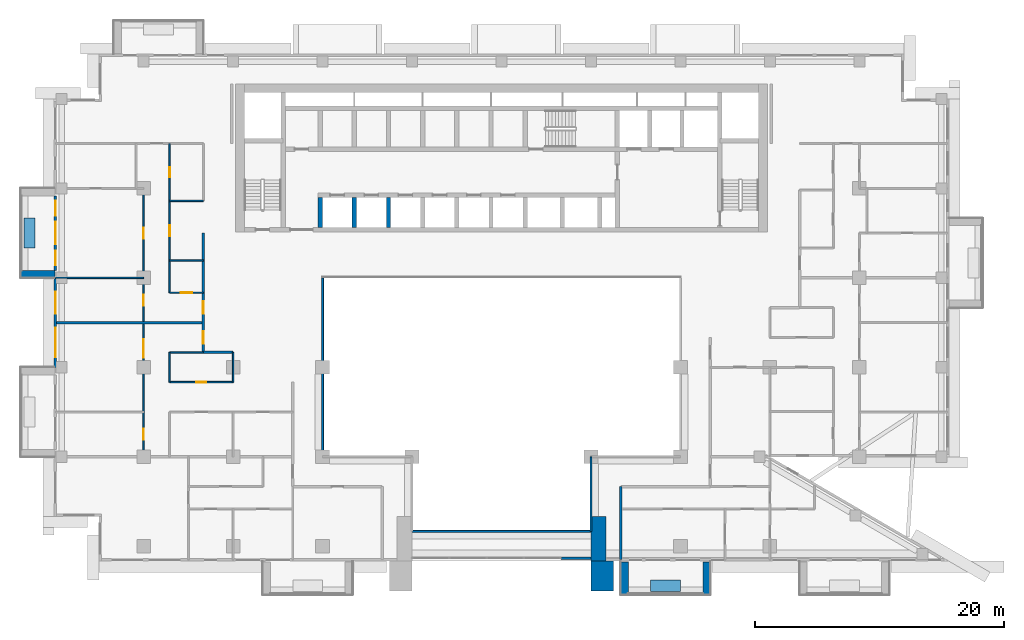
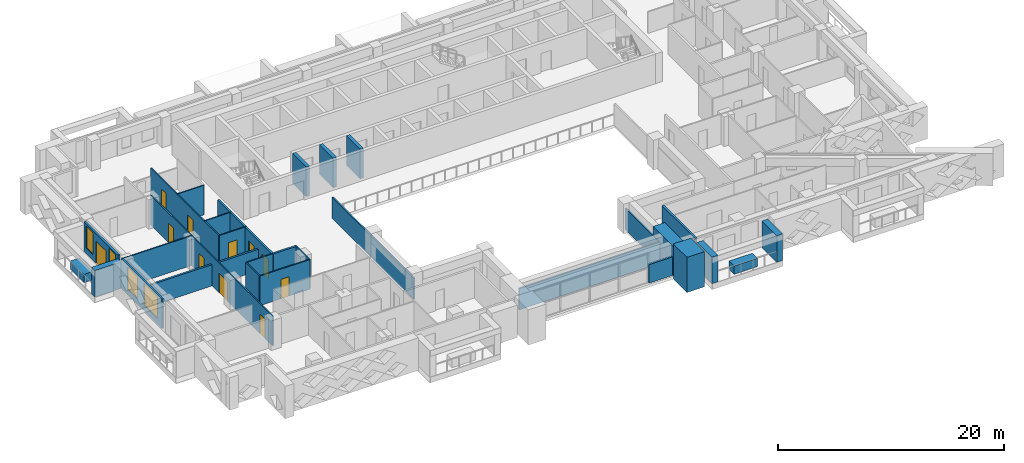
# One storey, part 7 of 20: 30 walls, 11 doors, 4 windows, 15 openings.
"""IFC4 building model written with IfcOpenShell, lengths in metres."""

from ifc_helpers import new_model, si_unit, direction, frame, frame_2d, origin, place, context, subcontext, project, spatial, rectangle, extrude, material, layer, layer_set, type_object, element, fill, save


model = new_model("IFC4")

# Units and contexts
model_context = context("Model", 3, precision=1e-05, world=origin(), true_north=direction((0.0, 1.0)))
body_context = subcontext(model_context, "Body", "Model", "MODEL_VIEW")
ifc_project = project(units=[si_unit("LENGTHUNIT", "METRE"), si_unit("AREAUNIT", "SQUARE_METRE"), si_unit("VOLUMEUNIT", "CUBIC_METRE"), si_unit("PLANEANGLEUNIT", "RADIAN"), si_unit("MASSUNIT", "GRAM", prefix="KILO")], contexts=[model_context])

# Site, building, storey
site_placement = place(None, origin())
site = spatial("IfcSite", under=ifc_project, at=site_placement, CompositionType="ELEMENT")
building_placement = place(site_placement, origin())
building = spatial("IfcBuilding", under=site, at=building_placement, Name="Saffron Iwan Residences", CompositionType="ELEMENT")
storey_placement = place(building_placement, frame((0.0, 0.0, 130.5)))
storey = spatial("IfcBuildingStorey", under=building, at=storey_placement, Name="L34", CompositionType="ELEMENT", Elevation=130.5)

# Walls
ifc_material_1 = material(Name="Fire-rated glazing", Category="glass")
ifc_layer_1 = layer(ifc_material_1, 0.14990234375)
ifc_layer_set_1 = layer_set([ifc_layer_1], Name="Fire-rated glazing")
wall_type_1 = type_object("IfcWallType", Name="Atrium glazed screen 150", PredefinedType="SOLIDWALL", material=ifc_layer_set_1)
wall_1_placement = place(storey_placement, frame((43.199951171875, 42.0, 0.0), z_axis=(0.0, 0.0, 1.0), x_axis=(1.0, 0.0, 0.0)))
element("IfcWall", 1, at=wall_1_placement, inside=storey, type_object=wall_type_1, Name="W-L34-SCREEN-h42-43.2", PredefinedType="SOLIDWALL", context=body_context, shape_type="SweptSolid", body=[
    extrude(rectangle(XDim=14.400146484375, YDim=0.14990234375, at=frame_2d((7.2001953125, 0.0))), origin(), (0.0, 0.0, 1.0), 2.300048828125),
])
wall_2_placement = place(storey_placement, frame((36.0, 48.0, 0.0), z_axis=(0.0, 0.0, 1.0), x_axis=(0.0, 1.0, 0.0)))
element("IfcWall", 2, at=wall_2_placement, inside=storey, type_object=wall_type_1, Name="W-L34-SCREEN-v36-48", PredefinedType="SOLIDWALL", context=body_context, shape_type="SweptSolid", body=[
    extrude(rectangle(XDim=14.39990234375, YDim=0.14990234375, at=frame_2d((7.199951171875, 0.0))), origin(), (0.0, 0.0, 1.0), 2.300048828125),
])
wall_3_placement = place(storey_placement, frame((57.60009765625, 42.0, 0.0), z_axis=(0.0, 0.0, 1.0), x_axis=(0.0, 1.0, 0.0)))
element("IfcWall", 3, at=wall_3_placement, inside=storey, type_object=wall_type_1, Name="W-L34-SCREEN-v57.6-42", PredefinedType="SOLIDWALL", context=body_context, shape_type="SweptSolid", body=[
    extrude(rectangle(XDim=6.0, YDim=0.14990234375, at=frame_2d((3.0, 0.0))), origin(), (0.0, 0.0, 1.0), 2.300048828125),
])
ifc_material_2 = material(Name="Concrete C50/60 white painted", Category="concrete")
ifc_layer_2 = layer(ifc_material_2, 0.60009765625)
ifc_layer_set_2 = layer_set([ifc_layer_2], Name="Concrete C50/60 white painted")
wall_type_2 = type_object("IfcWallType", Name="BALCONY FIN 600", PredefinedType="SOLIDWALL", material=ifc_layer_set_2)
wall_4_placement = place(storey_placement, frame((14.449951171875, 62.699951171875, 0.0), z_axis=(0.0, 0.0, 1.0), x_axis=(-1.0, 0.0, 0.0)))
element("IfcWall", 4, at=wall_4_placement, inside=storey, type_object=wall_type_2, Name="Balcony fin L34 F8-0b", PredefinedType="SOLIDWALL", context=body_context, shape_type="SweptSolid", body=[
    extrude(rectangle(XDim=2.75, YDim=0.60009765625, at=frame_2d((1.375, 0.0))), origin(), (0.0, 0.0, 1.0), 2.85009765625),
])
for number, where, z_axis, x_axis, name in (
    (5, (60.300048828125, 39.550048828125, 0.0), (0.0, 0.0, 1.0), (0.0, -1.0, 0.0), "Balcony fin L34 11-1a"),
    (6, (66.89990234375, 39.550048828125, 0.0), (0.0, 0.0, 1.0), (0.0, -1.0, 0.0), "Balcony fin L34 11-1b"),
):
    element("IfcWall", number, at=place(storey_placement, frame(where, z_axis=z_axis, x_axis=x_axis)), inside=storey, type_object=wall_type_2, Name=name, PredefinedType="SOLIDWALL", context=body_context, shape_type="SweptSolid", body=[
        extrude(rectangle(XDim=2.650146484375, YDim=0.60009765625, at=frame_2d((1.3251953125, 0.0))), origin(), (0.0, 0.0, 1.0), 2.85009765625),
    ])
ifc_material_3 = material(Name="Concrete C35/45 white painted", Category="concrete")
ifc_layer_3 = layer(ifc_material_3, 0.14990234375)
ifc_layer_set_3 = layer_set([ifc_layer_3], Name="Concrete C35/45 white painted")
wall_type_3 = type_object("IfcWallType", Name="BALCONY PLANTER", PredefinedType="SOLIDWALL", material=ifc_layer_set_3)
wall_5_placement = place(storey_placement, frame((12.425048828125, 67.199951171875, 0.0), z_axis=(0.0, 0.0, 1.0), x_axis=(0.0, -1.0, 0.0)))
element("IfcWall", 7, at=wall_5_placement, inside=storey, type_object=wall_type_3, Name="PLANTER L34 F8-0", PredefinedType="SOLIDWALL", context=body_context, shape_type="SweptSolid", body=[
    extrude(rectangle(XDim=2.39990234375, YDim=0.89990234375, at=frame_2d((1.199951171875, 0.0))), origin(), (0.0, 0.0, 1.0), 0.89990234375),
])
wall_6_placement = place(storey_placement, frame((62.39990234375, 37.625, 0.0), z_axis=(0.0, 0.0, 1.0), x_axis=(1.0, 0.0, 0.0)))
element("IfcWall", 8, at=wall_6_placement, inside=storey, type_object=wall_type_3, Name="PLANTER L34 11-1", PredefinedType="SOLIDWALL", context=body_context, shape_type="SweptSolid", body=[
    extrude(rectangle(XDim=2.400146484375, YDim=0.89990234375, at=frame_2d((1.2001953125, 0.0))), origin(), (0.0, 0.0, 1.0), 0.89990234375),
])

# Wall, openings, door, windows
ifc_material_4 = material(Name="Concrete C40/50", Category="concrete")
ifc_layer_4 = layer(ifc_material_4, 0.199951171875)
ifc_layer_set_4 = layer_set([ifc_layer_4], Name="Concrete C40/50")
wall_type_4 = type_object("IfcWallType", Name="EXTERNAL WALL 200", PredefinedType="SOLIDWALL", material=ifc_layer_set_4)
wall_7_placement = place(storey_placement, frame((14.5, 69.0, 0.0), z_axis=(0.0, 0.0, 1.0), x_axis=(0.0, -1.0, 0.0)))
wall_7 = element("IfcWall", 9, at=wall_7_placement, inside=storey, type_object=wall_type_4, Name="External wall L34 F8.1", PredefinedType="SOLIDWALL", context=body_context, shape_type="SweptSolid", body=[
    extrude(rectangle(XDim=6.0, YDim=0.199951171875, at=frame_2d((3.0, 0.0))), origin(), (0.0, 0.0, 1.0), 3.199951171875),
])
opening_1_placement = place(wall_7_placement, frame((2.10009765625, 0.0, 0.0)))
opening_1 = element("IfcOpeningElement", 10, at=opening_1_placement, cuts=wall_7, Name="Opening BD1", PredefinedType="OPENING", context=body_context, shape_type="SweptSolid", body=[
    extrude(rectangle(XDim=1.800048828125, YDim=2.39990234375, at=frame_2d((0.89990234375, 1.199951171875))), frame((0.0, 0.10986328125, 0.0), z_axis=(0.0, -1.0, 0.0), x_axis=(1.0, 0.0, 0.0)), (0.0, 0.0, 1.0), 0.219970703125),
])
opening_2_placement = place(wall_7_placement, frame((0.39990234375, 0.0, 0.60009765625)))
opening_2 = element("IfcOpeningElement", 11, at=opening_2_placement, cuts=wall_7, Name="Opening W3", PredefinedType="OPENING", context=body_context, shape_type="SweptSolid", body=[
    extrude(rectangle(XDim=1.199951171875, YDim=2.39990234375, at=frame_2d((0.60009765625, 1.199951171875))), frame((0.0, 0.10986328125, 0.0), z_axis=(0.0, -1.0, 0.0), x_axis=(1.0, 0.0, 0.0)), (0.0, 0.0, 1.0), 0.219970703125),
])
opening_3_placement = place(wall_7_placement, frame((4.39990234375, 0.0, 0.60009765625)))
opening_3 = element("IfcOpeningElement", 12, at=opening_3_placement, cuts=wall_7, Name="Opening W3", PredefinedType="OPENING", context=body_context, shape_type="SweptSolid", body=[
    extrude(rectangle(XDim=1.199951171875, YDim=2.39990234375, at=frame_2d((0.60009765625, 1.199951171875))), frame((0.0, 0.10986328125, 0.0), z_axis=(0.0, -1.0, 0.0), x_axis=(1.0, 0.0, 0.0)), (0.0, 0.0, 1.0), 0.219970703125),
])
ifc_material_5 = material(Name="Clear glass, laminated double glazed", Category="glass")
door_type_1 = type_object("IfcDoorType", Name="BALCONY DOOR 1800 x 2400", OperationType="DOUBLE_DOOR_SLIDING", PredefinedType="DOOR", material=ifc_material_5)
door_1_placement = place(opening_1_placement, origin())
door_1 = element("IfcDoor", 13, at=door_1_placement, inside=storey, type_object=door_type_1, Name="Balcony door L34 F8.0", OperationType="DOUBLE_DOOR_SLIDING", OverallHeight=2.39990234375, OverallWidth=1.800048828125, PredefinedType="DOOR", context=body_context, shape_type="SweptSolid", body=[
    extrude(rectangle(XDim=1.800048828125, YDim=2.39990234375, at=frame_2d((0.89990234375, 1.199951171875))), frame((0.0, 0.02490234375, 0.0), z_axis=(0.0, -1.0, 0.0), x_axis=(1.0, 0.0, 0.0)), (0.0, 0.0, 1.0), 0.050048828125),
])
fill(opening_1, door_1)
window_type_1 = type_object("IfcWindowType", Name="WINDOW 1200 x 2400", PartitioningType="SINGLE_PANEL", PredefinedType="WINDOW", material=ifc_material_5)
window_1_placement = place(opening_2_placement, origin())
window_1 = element("IfcWindow", 14, at=window_1_placement, inside=storey, type_object=window_type_1, Name="Window L34 F8.1", OverallHeight=2.39990234375, OverallWidth=1.199951171875, PartitioningType="SINGLE_PANEL", PredefinedType="WINDOW", context=body_context, shape_type="SweptSolid", body=[
    extrude(rectangle(XDim=1.199951171875, YDim=2.39990234375, at=frame_2d((0.60009765625, 1.199951171875))), frame((0.0, 0.030029296875, 0.0), z_axis=(0.0, -1.0, 0.0), x_axis=(1.0, 0.0, 0.0)), (0.0, 0.0, 1.0), 0.06005859375),
])
fill(opening_2, window_1)
window_2_placement = place(opening_3_placement, origin())
window_2 = element("IfcWindow", 15, at=window_2_placement, inside=storey, type_object=window_type_1, Name="Window L34 F8.2", OverallHeight=2.39990234375, OverallWidth=1.199951171875, PartitioningType="SINGLE_PANEL", PredefinedType="WINDOW", context=body_context, shape_type="SweptSolid", body=[
    extrude(rectangle(XDim=1.199951171875, YDim=2.39990234375, at=frame_2d((0.60009765625, 1.199951171875))), frame((0.0, 0.030029296875, 0.0), z_axis=(0.0, -1.0, 0.0), x_axis=(1.0, 0.0, 0.0)), (0.0, 0.0, 1.0), 0.06005859375),
])
fill(opening_3, window_2)

# Wall, openings, windows
wall_8_placement = place(storey_placement, frame((14.5, 62.39990234375, 0.0), z_axis=(0.0, 0.0, 1.0), x_axis=(0.0, -1.0, 0.0)))
wall_8 = element("IfcWall", 16, at=wall_8_placement, inside=storey, type_object=wall_type_4, Name="External wall L34 F8.2", PredefinedType="SOLIDWALL", context=body_context, shape_type="SweptSolid", body=[
    extrude(rectangle(XDim=7.199951171875, YDim=0.199951171875, at=frame_2d((3.60009765625, 0.0))), origin(), (0.0, 0.0, 1.0), 3.199951171875),
])
opening_4_placement = place(wall_8_placement, frame((4.0, 0.0, 0.60009765625)))
opening_4 = element("IfcOpeningElement", 17, at=opening_4_placement, cuts=wall_8, Name="Opening W1", PredefinedType="OPENING", context=body_context, shape_type="SweptSolid", body=[
    extrude(rectangle(XDim=2.39990234375, YDim=2.39990234375, at=frame_2d((1.199951171875, 1.199951171875))), frame((0.0, 0.10986328125, 0.0), z_axis=(0.0, -1.0, 0.0), x_axis=(1.0, 0.0, 0.0)), (0.0, 0.0, 1.0), 0.219970703125),
])
opening_5_placement = place(wall_8_placement, frame((1.10009765625, 0.0, 0.60009765625)))
opening_5 = element("IfcOpeningElement", 18, at=opening_5_placement, cuts=wall_8, Name="Opening W8", PredefinedType="OPENING", context=body_context, shape_type="SweptSolid", body=[
    extrude(rectangle(XDim=1.800048828125, YDim=2.39990234375, at=frame_2d((0.89990234375, 1.199951171875))), frame((0.0, 0.10986328125, 0.0), z_axis=(0.0, -1.0, 0.0), x_axis=(1.0, 0.0, 0.0)), (0.0, 0.0, 1.0), 0.219970703125),
])
window_type_2 = type_object("IfcWindowType", Name="WINDOW 1800 x 2400", PartitioningType="DOUBLE_PANEL_VERTICAL", PredefinedType="WINDOW", material=ifc_material_5)
window_3_placement = place(opening_5_placement, origin())
window_3 = element("IfcWindow", 19, at=window_3_placement, inside=storey, type_object=window_type_2, Name="Window L34 F8.1", OverallHeight=2.39990234375, OverallWidth=1.800048828125, PartitioningType="DOUBLE_PANEL_VERTICAL", PredefinedType="WINDOW", context=body_context, shape_type="SweptSolid", body=[
    extrude(rectangle(XDim=1.800048828125, YDim=2.39990234375, at=frame_2d((0.89990234375, 1.199951171875))), frame((0.0, 0.030029296875, 0.0), z_axis=(0.0, -1.0, 0.0), x_axis=(1.0, 0.0, 0.0)), (0.0, 0.0, 1.0), 0.06005859375),
])
fill(opening_5, window_3)
window_type_3 = type_object("IfcWindowType", Name="WINDOW 2400 x 2400", PartitioningType="DOUBLE_PANEL_VERTICAL", PredefinedType="WINDOW", material=ifc_material_5)
window_4_placement = place(opening_4_placement, origin())
window_4 = element("IfcWindow", 20, at=window_4_placement, inside=storey, type_object=window_type_3, Name="Window L34 F8.0", OverallHeight=2.39990234375, OverallWidth=2.39990234375, PartitioningType="DOUBLE_PANEL_VERTICAL", PredefinedType="WINDOW", context=body_context, shape_type="SweptSolid", body=[
    extrude(rectangle(XDim=2.39990234375, YDim=2.39990234375, at=frame_2d((1.199951171875, 1.199951171875))), frame((0.0, 0.030029296875, 0.0), z_axis=(0.0, -1.0, 0.0), x_axis=(1.0, 0.0, 0.0)), (0.0, 0.0, 1.0), 0.06005859375),
])
fill(opening_4, window_4)

# Walls
wall_9_placement = place(storey_placement, frame((55.199951171875, 39.85009765625, 0.0), z_axis=(0.0, 0.0, 1.0), x_axis=(1.0, 0.0, 0.0)))
element("IfcWall", 21, at=wall_9_placement, inside=storey, type_object=wall_type_4, Name="External wall infill CWB-L34-0", PredefinedType="SOLIDWALL", context=body_context, shape_type="SweptSolid", body=[
    extrude(rectangle(XDim=2.400146484375, YDim=0.199951171875, at=frame_2d((1.2001953125, 0.0))), origin(), (0.0, 0.0, 1.0), 2.0),
])
ifc_material_6 = material(Name="Fire-rated gypsum board wall")
ifc_layer_5 = layer(ifc_material_6, 0.199951171875)
ifc_layer_set_5 = layer_set([ifc_layer_5], Name="Fire-rated gypsum board wall")
wall_type_5 = type_object("IfcWallType", Name="Flat demising wall 200", PredefinedType="SOLIDWALL", material=ifc_layer_set_5)
wall_10_placement = place(storey_placement, frame((14.52490234375, 58.800048828125, 0.0), z_axis=(0.0, 0.0, 1.0), x_axis=(1.0, 0.0, 0.0)))
element("IfcWall", 22, at=wall_10_placement, inside=storey, type_object=wall_type_5, Name="W-L34-DEMISE-h58.8-14.525", PredefinedType="SOLIDWALL", context=body_context, shape_type="SweptSolid", body=[
    extrude(rectangle(XDim=11.875, YDim=0.199951171875, at=frame_2d((5.9375, 0.0))), origin(), (0.0, 0.0, 1.0), 2.300048828125),
])

# Wall, opening, door
ifc_material_7 = material(Name="Gypsum board partition")
ifc_layer_6 = layer(ifc_material_7, 0.1201171875)
ifc_layer_set_6 = layer_set([ifc_layer_6], Name="Gypsum board partition")
wall_type_6 = type_object("IfcWallType", Name="Flat partition 120", PredefinedType="PARTITIONING", material=ifc_layer_set_6)
wall_11_placement = place(storey_placement, frame((23.699951171875, 54.0, 0.0), z_axis=(0.0, 0.0, 1.0), x_axis=(1.0, 0.0, 0.0)))
wall_11 = element("IfcWall", 23, at=wall_11_placement, inside=storey, type_object=wall_type_6, Name="W-L34-PART-h54-23.7", PredefinedType="PARTITIONING", context=body_context, shape_type="SweptSolid", body=[
    extrude(rectangle(XDim=5.10009765625, YDim=0.1201171875, at=frame_2d((2.550048828125, 0.0))), origin(), (0.0, 0.0, 1.0), 3.199951171875),
])
opening_6_placement = place(wall_11_placement, frame((2.14990234375, 0.0, 0.0)))
opening_6 = element("IfcOpeningElement", 24, at=opening_6_placement, cuts=wall_11, Name="Opening FD3", PredefinedType="OPENING", context=body_context, shape_type="SweptSolid", body=[
    extrude(rectangle(XDim=0.800048828125, YDim=2.10009765625, at=frame_2d((0.39990234375, 1.050048828125))), frame((0.0, 0.070068359375, 0.0), z_axis=(0.0, -1.0, 0.0), x_axis=(1.0, 0.0, 0.0)), (0.0, 0.0, 1.0), 0.14013671875),
])
ifc_material_8 = material(Name="Timber door", Category="wood")
door_type_2 = type_object("IfcDoorType", Name="Bathroom door 800", OperationType="NOTDEFINED", PredefinedType="DOOR", material=ifc_material_8)
door_2_placement = place(opening_6_placement, origin())
door_2 = element("IfcDoor", 25, at=door_2_placement, inside=storey, type_object=door_type_2, Name="Door L34-011", OperationType="SINGLE_SWING_LEFT", OverallHeight=2.10009765625, OverallWidth=0.800048828125, PredefinedType="DOOR", context=body_context, shape_type="SweptSolid", body=[
    extrude(rectangle(XDim=0.800048828125, YDim=2.10009765625, at=frame_2d((0.39990234375, 1.050048828125))), frame((0.0, 0.02490234375, 0.0), z_axis=(0.0, -1.0, 0.0), x_axis=(1.0, 0.0, 0.0)), (0.0, 0.0, 1.0), 0.050048828125),
])
fill(opening_6, door_2)

# Wall
wall_12_placement = place(storey_placement, frame((23.699951171875, 56.39990234375, 0.0), z_axis=(0.0, 0.0, 1.0), x_axis=(1.0, 0.0, 0.0)))
element("IfcWall", 26, at=wall_12_placement, inside=storey, type_object=wall_type_6, Name="W-L34-PART-h56.4-23.7", PredefinedType="PARTITIONING", context=body_context, shape_type="SweptSolid", body=[
    extrude(rectangle(XDim=2.699951171875, YDim=0.1201171875, at=frame_2d((1.35009765625, 0.0))), origin(), (0.0, 0.0, 1.0), 3.199951171875),
])

# Wall, opening, door
wall_13_placement = place(storey_placement, frame((23.699951171875, 61.199951171875, 0.0), z_axis=(0.0, 0.0, 1.0), x_axis=(1.0, 0.0, 0.0)))
wall_13 = element("IfcWall", 27, at=wall_13_placement, inside=storey, type_object=wall_type_6, Name="W-L34-PART-h61.2-23.7", PredefinedType="PARTITIONING", context=body_context, shape_type="SweptSolid", body=[
    extrude(rectangle(XDim=2.699951171875, YDim=0.1201171875, at=frame_2d((1.35009765625, 0.0))), origin(), (0.0, 0.0, 1.0), 3.199951171875),
])
opening_7_placement = place(wall_13_placement, frame((0.89990234375, 0.0, 0.0)))
opening_7 = element("IfcOpeningElement", 28, at=opening_7_placement, cuts=wall_13, Name="Opening FD2", PredefinedType="OPENING", context=body_context, shape_type="SweptSolid", body=[
    extrude(rectangle(XDim=0.89990234375, YDim=2.10009765625, at=frame_2d((0.449951171875, 1.050048828125))), frame((0.0, 0.070068359375, 0.0), z_axis=(0.0, -1.0, 0.0), x_axis=(1.0, 0.0, 0.0)), (0.0, 0.0, 1.0), 0.14013671875),
])
door_type_3 = type_object("IfcDoorType", Name="Flat door 900", OperationType="NOTDEFINED", PredefinedType="DOOR", material=ifc_material_8)
door_3_placement = place(opening_7_placement, origin())
door_3 = element("IfcDoor", 29, at=door_3_placement, inside=storey, type_object=door_type_3, Name="Door L34-026", OperationType="SINGLE_SWING_LEFT", OverallHeight=2.10009765625, OverallWidth=0.89990234375, PredefinedType="DOOR", context=body_context, shape_type="SweptSolid", body=[
    extrude(rectangle(XDim=0.89990234375, YDim=2.10009765625, at=frame_2d((0.449951171875, 1.050048828125))), frame((0.0, 0.02490234375, 0.0), z_axis=(0.0, -1.0, 0.0), x_axis=(1.0, 0.0, 0.0)), (0.0, 0.0, 1.0), 0.050048828125),
])
fill(opening_7, door_3)

# Walls
wall_14_placement = place(storey_placement, frame((14.52490234375, 62.39990234375, 0.0), z_axis=(0.0, 0.0, 1.0), x_axis=(1.0, 0.0, 0.0)))
element("IfcWall", 30, at=wall_14_placement, inside=storey, type_object=wall_type_6, Name="W-L34-PART-h62.4-14.525", PredefinedType="PARTITIONING", context=body_context, shape_type="SweptSolid", body=[
    extrude(rectangle(XDim=7.0751953125, YDim=0.1201171875, at=frame_2d((3.53759765625, 0.0))), origin(), (0.0, 0.0, 1.0), 3.199951171875),
])
for number, where, z_axis, x_axis, name in (
    (31, (23.699951171875, 63.800048828125, 0.0), (0.0, 0.0, 1.0), (1.0, 0.0, 0.0), "W-L34-PART-h63.8-23.7"),
    (32, (23.699951171875, 68.60009765625, 0.0), (0.0, 0.0, 1.0), (1.0, 0.0, 0.0), "W-L34-PART-h68.6-23.7"),
):
    element("IfcWall", number, at=place(storey_placement, frame(where, z_axis=z_axis, x_axis=x_axis)), inside=storey, type_object=wall_type_6, Name=name, PredefinedType="PARTITIONING", context=body_context, shape_type="SweptSolid", body=[
        extrude(rectangle(XDim=2.699951171875, YDim=0.1201171875, at=frame_2d((1.35009765625, 0.0))), origin(), (0.0, 0.0, 1.0), 3.199951171875),
    ])

# Wall, openings, doors
wall_15_placement = place(storey_placement, frame((21.60009765625, 48.0, 0.0), z_axis=(0.0, 0.0, 1.0), x_axis=(0.0, 1.0, 0.0)))
wall_15 = element("IfcWall", 33, at=wall_15_placement, inside=storey, type_object=wall_type_6, Name="W-L34-PART-v21.6-48", PredefinedType="PARTITIONING", context=body_context, shape_type="SweptSolid", body=[
    extrude(rectangle(XDim=21.60009765625, YDim=0.1201171875, at=frame_2d((10.800048828125, 0.0))), origin(), (0.0, 0.0, 1.0), 3.199951171875),
])
opening_8_placement = place(wall_15_placement, frame((1.35009765625, 0.0, 0.0)))
opening_8 = element("IfcOpeningElement", 34, at=opening_8_placement, cuts=wall_15, Name="Opening FD2", PredefinedType="OPENING", context=body_context, shape_type="SweptSolid", body=[
    extrude(rectangle(XDim=0.89990234375, YDim=2.10009765625, at=frame_2d((0.449951171875, 1.050048828125))), frame((0.0, 0.070068359375, 0.0), z_axis=(0.0, -1.0, 0.0), x_axis=(1.0, 0.0, 0.0)), (0.0, 0.0, 1.0), 0.14013671875),
])
opening_9_placement = place(wall_15_placement, frame((7.949951171875, 0.0, 0.0)))
opening_9 = element("IfcOpeningElement", 35, at=opening_9_placement, cuts=wall_15, Name="Opening FD4", PredefinedType="OPENING", context=body_context, shape_type="SweptSolid", body=[
    extrude(rectangle(XDim=1.5, YDim=2.10009765625, at=frame_2d((0.75, 1.050048828125))), frame((0.0, 0.070068359375, 0.0), z_axis=(0.0, -1.0, 0.0), x_axis=(1.0, 0.0, 0.0)), (0.0, 0.0, 1.0), 0.14013671875),
])
opening_10_placement = place(wall_15_placement, frame((12.14990234375, 0.0, 0.0)))
opening_10 = element("IfcOpeningElement", 36, at=opening_10_placement, cuts=wall_15, Name="Opening FD2", PredefinedType="OPENING", context=body_context, shape_type="SweptSolid", body=[
    extrude(rectangle(XDim=0.89990234375, YDim=2.10009765625, at=frame_2d((0.449951171875, 1.050048828125))), frame((0.0, 0.070068359375, 0.0), z_axis=(0.0, -1.0, 0.0), x_axis=(1.0, 0.0, 0.0)), (0.0, 0.0, 1.0), 0.14013671875),
])
opening_11_placement = place(wall_15_placement, frame((17.550048828125, 0.0, 0.0)))
opening_11 = element("IfcOpeningElement", 37, at=opening_11_placement, cuts=wall_15, Name="Opening FD2", PredefinedType="OPENING", context=body_context, shape_type="SweptSolid", body=[
    extrude(rectangle(XDim=0.89990234375, YDim=2.10009765625, at=frame_2d((0.449951171875, 1.050048828125))), frame((0.0, 0.070068359375, 0.0), z_axis=(0.0, -1.0, 0.0), x_axis=(1.0, 0.0, 0.0)), (0.0, 0.0, 1.0), 0.14013671875),
])
door_type_4 = type_object("IfcDoorType", Name="Double door 1500", OperationType="NOTDEFINED", PredefinedType="DOOR", material=ifc_material_8)
door_4_placement = place(opening_9_placement, origin())
door_4 = element("IfcDoor", 38, at=door_4_placement, inside=storey, type_object=door_type_4, Name="Door L34-009", OperationType="SINGLE_SWING_LEFT", OverallHeight=2.10009765625, OverallWidth=1.5, PredefinedType="DOOR", context=body_context, shape_type="SweptSolid", body=[
    extrude(rectangle(XDim=1.5, YDim=2.10009765625, at=frame_2d((0.75, 1.050048828125))), frame((0.0, 0.02490234375, 0.0), z_axis=(0.0, -1.0, 0.0), x_axis=(1.0, 0.0, 0.0)), (0.0, 0.0, 1.0), 0.050048828125),
])
fill(opening_9, door_4)
door_5_placement = place(opening_8_placement, origin())
door_5 = element("IfcDoor", 39, at=door_5_placement, inside=storey, type_object=door_type_3, Name="Door L34-008", OperationType="SINGLE_SWING_LEFT", OverallHeight=2.10009765625, OverallWidth=0.89990234375, PredefinedType="DOOR", context=body_context, shape_type="SweptSolid", body=[
    extrude(rectangle(XDim=0.89990234375, YDim=2.10009765625, at=frame_2d((0.449951171875, 1.050048828125))), frame((0.0, 0.02490234375, 0.0), z_axis=(0.0, -1.0, 0.0), x_axis=(1.0, 0.0, 0.0)), (0.0, 0.0, 1.0), 0.050048828125),
])
fill(opening_8, door_5)
door_6_placement = place(opening_10_placement, origin())
door_6 = element("IfcDoor", 40, at=door_6_placement, inside=storey, type_object=door_type_3, Name="Door L34-022", OperationType="SINGLE_SWING_LEFT", OverallHeight=2.10009765625, OverallWidth=0.89990234375, PredefinedType="DOOR", context=body_context, shape_type="SweptSolid", body=[
    extrude(rectangle(XDim=0.89990234375, YDim=2.10009765625, at=frame_2d((0.449951171875, 1.050048828125))), frame((0.0, 0.02490234375, 0.0), z_axis=(0.0, -1.0, 0.0), x_axis=(1.0, 0.0, 0.0)), (0.0, 0.0, 1.0), 0.050048828125),
])
fill(opening_10, door_6)
door_7_placement = place(opening_11_placement, origin())
door_7 = element("IfcDoor", 41, at=door_7_placement, inside=storey, type_object=door_type_3, Name="Door L34-023", OperationType="SINGLE_SWING_LEFT", OverallHeight=2.10009765625, OverallWidth=0.89990234375, PredefinedType="DOOR", context=body_context, shape_type="SweptSolid", body=[
    extrude(rectangle(XDim=0.89990234375, YDim=2.10009765625, at=frame_2d((0.449951171875, 1.050048828125))), frame((0.0, 0.02490234375, 0.0), z_axis=(0.0, -1.0, 0.0), x_axis=(1.0, 0.0, 0.0)), (0.0, 0.0, 1.0), 0.050048828125),
])
fill(opening_11, door_7)

# Wall
wall_16_placement = place(storey_placement, frame((23.699951171875, 54.0, 0.0), z_axis=(0.0, 0.0, 1.0), x_axis=(0.0, 1.0, 0.0)))
element("IfcWall", 42, at=wall_16_placement, inside=storey, type_object=wall_type_6, Name="W-L34-PART-v23.7-54", PredefinedType="PARTITIONING", context=body_context, shape_type="SweptSolid", body=[
    extrude(rectangle(XDim=2.39990234375, YDim=0.1201171875, at=frame_2d((1.199951171875, 0.0))), origin(), (0.0, 0.0, 1.0), 3.199951171875),
])

# Wall, openings, doors
wall_17_placement = place(storey_placement, frame((23.699951171875, 61.199951171875, 0.0), z_axis=(0.0, 0.0, 1.0), x_axis=(0.0, 1.0, 0.0)))
wall_17 = element("IfcWall", 43, at=wall_17_placement, inside=storey, type_object=wall_type_6, Name="W-L34-PART-v23.7-61.2", PredefinedType="PARTITIONING", context=body_context, shape_type="SweptSolid", body=[
    extrude(rectangle(XDim=12.0, YDim=0.1201171875, at=frame_2d((6.0, 0.0))), origin(), (0.0, 0.0, 1.0), 3.199951171875),
])
opening_12_placement = place(wall_17_placement, frame((4.550048828125, 0.0, 0.0)))
opening_12 = element("IfcOpeningElement", 44, at=opening_12_placement, cuts=wall_17, Name="Opening FD2", PredefinedType="OPENING", context=body_context, shape_type="SweptSolid", body=[
    extrude(rectangle(XDim=0.89990234375, YDim=2.10009765625, at=frame_2d((0.449951171875, 1.050048828125))), frame((0.0, 0.070068359375, 0.0), z_axis=(0.0, -1.0, 0.0), x_axis=(1.0, 0.0, 0.0)), (0.0, 0.0, 1.0), 0.14013671875),
])
opening_13_placement = place(wall_17_placement, frame((9.300048828125, 0.0, 0.0)))
opening_13 = element("IfcOpeningElement", 45, at=opening_13_placement, cuts=wall_17, Name="Opening FD3", PredefinedType="OPENING", context=body_context, shape_type="SweptSolid", body=[
    extrude(rectangle(XDim=0.800048828125, YDim=2.10009765625, at=frame_2d((0.39990234375, 1.050048828125))), frame((0.0, 0.070068359375, 0.0), z_axis=(0.0, -1.0, 0.0), x_axis=(1.0, 0.0, 0.0)), (0.0, 0.0, 1.0), 0.14013671875),
])
door_8_placement = place(opening_13_placement, origin())
door_8 = element("IfcDoor", 46, at=door_8_placement, inside=storey, type_object=door_type_2, Name="Door L34-028", OperationType="SINGLE_SWING_LEFT", OverallHeight=2.10009765625, OverallWidth=0.800048828125, PredefinedType="DOOR", context=body_context, shape_type="SweptSolid", body=[
    extrude(rectangle(XDim=0.800048828125, YDim=2.10009765625, at=frame_2d((0.39990234375, 1.050048828125))), frame((0.0, 0.02490234375, 0.0), z_axis=(0.0, -1.0, 0.0), x_axis=(1.0, 0.0, 0.0)), (0.0, 0.0, 1.0), 0.050048828125),
])
fill(opening_13, door_8)
door_9_placement = place(opening_12_placement, origin())
door_9 = element("IfcDoor", 47, at=door_9_placement, inside=storey, type_object=door_type_3, Name="Door L34-027", OperationType="SINGLE_SWING_RIGHT", OverallHeight=2.10009765625, OverallWidth=0.89990234375, PredefinedType="DOOR", context=body_context, shape_type="SweptSolid", body=[
    extrude(rectangle(XDim=0.89990234375, YDim=2.10009765625, at=frame_2d((0.449951171875, 1.050048828125))), frame((0.0, 0.02490234375, 0.0), z_axis=(0.0, -1.0, 0.0), x_axis=(1.0, 0.0, 0.0)), (0.0, 0.0, 1.0), 0.050048828125),
])
fill(opening_12, door_9)

# Walls
wall_18_placement = place(storey_placement, frame((28.800048828125, 54.0, 0.0), z_axis=(0.0, 0.0, 1.0), x_axis=(0.0, 1.0, 0.0)))
element("IfcWall", 48, at=wall_18_placement, inside=storey, type_object=wall_type_6, Name="W-L34-PART-v28.8-54", PredefinedType="PARTITIONING", context=body_context, shape_type="SweptSolid", body=[
    extrude(rectangle(XDim=2.39990234375, YDim=0.1201171875, at=frame_2d((1.199951171875, 0.0))), origin(), (0.0, 0.0, 1.0), 3.199951171875),
])
ifc_layer_7 = layer(ifc_material_6, 0.199951171875)
ifc_layer_set_7 = layer_set([ifc_layer_7], Name="Fire-rated gypsum board wall")
wall_type_7 = type_object("IfcWallType", Name="Gallery wall 200", PredefinedType="SOLIDWALL", material=ifc_layer_set_7)
wall_19_placement = place(storey_placement, frame((26.39990234375, 56.39990234375, 0.0), z_axis=(0.0, 0.0, 1.0), x_axis=(1.0, 0.0, 0.0)))
element("IfcWall", 49, at=wall_19_placement, inside=storey, type_object=wall_type_7, Name="W-L34-CORR-h56.4-26.4", PredefinedType="SOLIDWALL", context=body_context, shape_type="SweptSolid", body=[
    extrude(rectangle(XDim=2.400146484375, YDim=0.199951171875, at=frame_2d((1.2001953125, 0.0))), origin(), (0.0, 0.0, 1.0), 3.199951171875),
])

# Wall, openings, doors
wall_20_placement = place(storey_placement, frame((26.39990234375, 56.39990234375, 0.0), z_axis=(0.0, 0.0, 1.0), x_axis=(0.0, 1.0, 0.0)))
wall_20 = element("IfcWall", 50, at=wall_20_placement, inside=storey, type_object=wall_type_7, Name="W-L34-CORR-v26.4-56.4", PredefinedType="SOLIDWALL", context=body_context, shape_type="SweptSolid", body=[
    extrude(rectangle(XDim=9.60009765625, YDim=0.199951171875, at=frame_2d((4.800048828125, 0.0))), origin(), (0.0, 0.0, 1.0), 3.199951171875),
])
opening_14_placement = place(wall_20_placement, frame((0.699951171875, 0.0, 0.0)))
opening_14 = element("IfcOpeningElement", 51, at=opening_14_placement, cuts=wall_20, Name="Opening FD1", PredefinedType="OPENING", context=body_context, shape_type="SweptSolid", body=[
    extrude(rectangle(XDim=1.0, YDim=2.10009765625, at=frame_2d((0.5, 1.050048828125))), frame((0.0, 0.10986328125, 0.0), z_axis=(0.0, -1.0, 0.0), x_axis=(1.0, 0.0, 0.0)), (0.0, 0.0, 1.0), 0.219970703125),
])
opening_15_placement = place(wall_20_placement, frame((3.10009765625, 0.0, 0.0)))
opening_15 = element("IfcOpeningElement", 52, at=opening_15_placement, cuts=wall_20, Name="Opening FD1", PredefinedType="OPENING", context=body_context, shape_type="SweptSolid", body=[
    extrude(rectangle(XDim=1.0, YDim=2.10009765625, at=frame_2d((0.5, 1.050048828125))), frame((0.0, 0.10986328125, 0.0), z_axis=(0.0, -1.0, 0.0), x_axis=(1.0, 0.0, 0.0)), (0.0, 0.0, 1.0), 0.219970703125),
])
ifc_material_9 = material(Name="Fire-rated timber door", Category="wood")
door_type_5 = type_object("IfcDoorType", Name="FD30S flat entrance door 1000", OperationType="NOTDEFINED", PredefinedType="DOOR", material=ifc_material_9)
door_10_placement = place(opening_14_placement, origin())
door_10 = element("IfcDoor", 53, at=door_10_placement, inside=storey, type_object=door_type_5, Name="Door L34-007", OperationType="SINGLE_SWING_LEFT", OverallHeight=2.10009765625, OverallWidth=1.0, PredefinedType="DOOR", context=body_context, shape_type="SweptSolid", body=[
    extrude(rectangle(XDim=1.0, YDim=2.10009765625, at=frame_2d((0.5, 1.050048828125))), frame((0.0, 0.02490234375, 0.0), z_axis=(0.0, -1.0, 0.0), x_axis=(1.0, 0.0, 0.0)), (0.0, 0.0, 1.0), 0.050048828125),
])
fill(opening_14, door_10)
door_11_placement = place(opening_15_placement, origin())
door_11 = element("IfcDoor", 54, at=door_11_placement, inside=storey, type_object=door_type_5, Name="Door L34-021", OperationType="SINGLE_SWING_RIGHT", OverallHeight=2.10009765625, OverallWidth=1.0, PredefinedType="DOOR", context=body_context, shape_type="SweptSolid", body=[
    extrude(rectangle(XDim=1.0, YDim=2.10009765625, at=frame_2d((0.5, 1.050048828125))), frame((0.0, 0.02490234375, 0.0), z_axis=(0.0, -1.0, 0.0), x_axis=(1.0, 0.0, 0.0)), (0.0, 0.0, 1.0), 0.050048828125),
])
fill(opening_15, door_11)

# Walls
wall_21_placement = place(storey_placement, frame((60.0, 39.72509765625, 0.0), z_axis=(0.0, 0.0, 1.0), x_axis=(0.0, 1.0, 0.0)))
element("IfcWall", 55, at=wall_21_placement, inside=storey, type_object=wall_type_7, Name="W-L34-CORR-v60-39.725", PredefinedType="SOLIDWALL", context=body_context, shape_type="SweptSolid", body=[
    extrude(rectangle(XDim=5.875, YDim=0.199951171875, at=frame_2d((2.9375, 0.0))), origin(), (0.0, 0.0, 1.0), 3.199951171875),
])
ifc_material_10 = material(Name="Terracotta screen, precast concrete C40/50", Category="masonry")
ifc_layer_8 = layer(ifc_material_10, 1.800048828125)
ifc_layer_set_8 = layer_set([ifc_layer_8], Name="Terracotta screen, precast concrete C40/50")
wall_type_8 = type_object("IfcWallType", Name="Portal pier, precast concrete 1800 (tower)", PredefinedType="SOLIDWALL", material=ifc_layer_set_8)
wall_22_placement = place(storey_placement, frame((58.5, 37.199951171875, -0.300048828125), z_axis=(0.0, 0.0, 1.0), x_axis=(0.0, 1.0, 0.0)))
element("IfcWall", 56, at=wall_22_placement, inside=storey, type_object=wall_type_8, Name="Portal pier E L34", PredefinedType="SOLIDWALL", context=body_context, shape_type="SweptSolid", body=[
    extrude(rectangle(XDim=2.400146484375, YDim=1.800048828125, at=frame_2d((1.2001953125, 0.0))), origin(), (0.0, 0.0, 1.0), 3.800048828125),
])
ifc_material_11 = material(Name="Concrete C50/60", Category="concrete")
ifc_layer_9 = layer(ifc_material_11, 0.35009765625)
ifc_layer_set_9 = layer_set([ifc_layer_9], Name="Concrete C50/60")
wall_type_9 = type_object("IfcWallType", Name="WALL CORE 350 C50/60 3200 HIGH", PredefinedType="SHEAR", material=ifc_layer_set_9)
for number, where, z_axis, x_axis, name in (
    (57, (35.800048828125, 66.449951171875, 0.0), (0.0, 0.0, 1.0), (0.0, 1.0, 0.0), "Core wall"),
    (58, (38.550048828125, 66.449951171875, 0.0), (0.0, 0.0, 1.0), (0.0, 1.0, 0.0), "Core wall"),
    (59, (41.300048828125, 66.449951171875, 0.0), (0.0, 0.0, 1.0), (0.0, 1.0, 0.0), "Core wall"),
):
    element("IfcWall", number, at=place(storey_placement, frame(where, z_axis=z_axis, x_axis=x_axis)), inside=storey, type_object=wall_type_9, Name=name, PredefinedType="SHEAR", context=body_context, shape_type="SweptSolid", body=[
        extrude(rectangle(XDim=2.425048828125, YDim=0.35009765625, at=frame_2d((1.21240234375, 0.0))), origin(), (0.0, 0.0, 1.0), 3.199951171875),
    ])
ifc_layer_10 = layer(ifc_material_11, 1.199951171875)
ifc_layer_set_10 = layer_set([ifc_layer_10], Name="Concrete C50/60")
wall_type_10 = type_object("IfcWallType", Name="WALL IWAN PIER 1200 C50/60 3200 HIGH", PredefinedType="SHEAR", material=ifc_layer_set_10)
wall_23_placement = place(storey_placement, frame((58.199951171875, 39.60009765625, 0.0), z_axis=(0.0, 0.0, 1.0), x_axis=(0.0, 1.0, 0.0)))
element("IfcWall", 60, at=wall_23_placement, inside=storey, type_object=wall_type_10, Name="IWAN PIER", PredefinedType="SHEAR", context=body_context, shape_type="SweptSolid", body=[
    extrude(rectangle(XDim=3.599853515625, YDim=1.199951171875, at=frame_2d((1.7998046875, 0.0))), origin(), (0.0, 0.0, 1.0), 3.199951171875),
])

save(model, "model.ifc")
